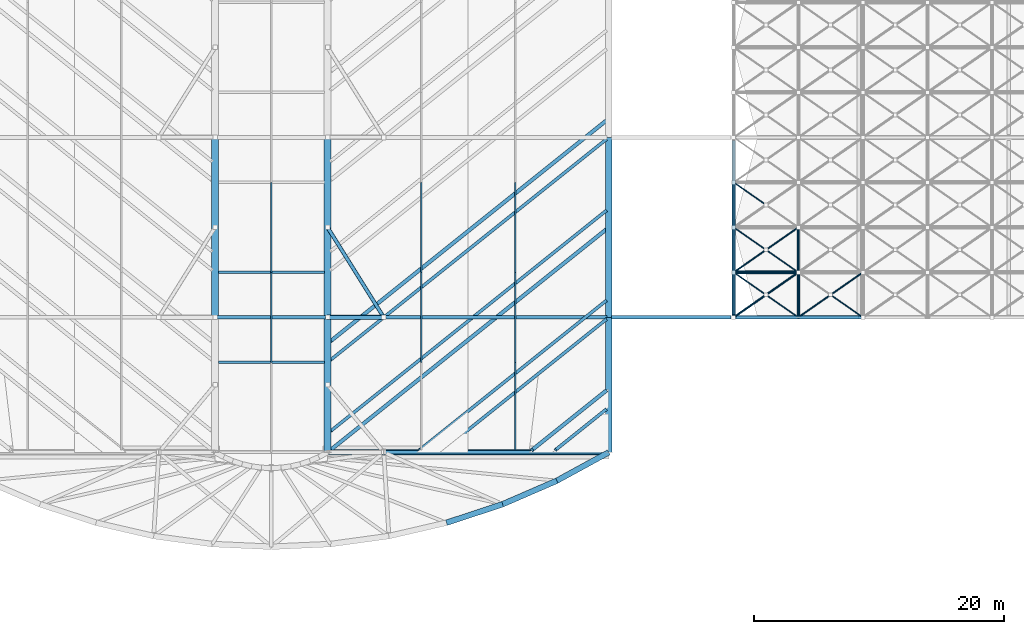
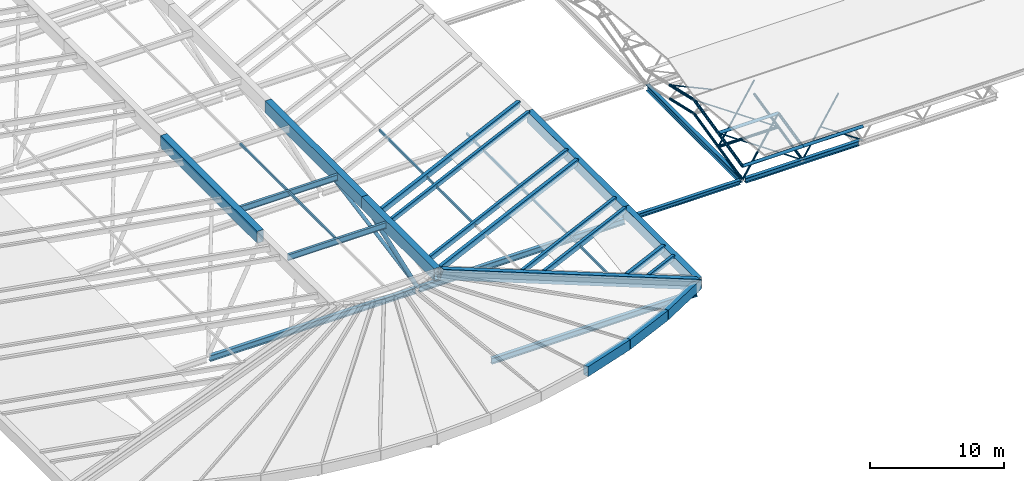
# One storey, part 22 of 110: 31 members, 25 beams.
"""IFC4 building model written with IfcOpenShell, lengths in metres."""

from ifc_helpers import new_model, si_unit, direction, frame, origin, origin_2d, place, context, subcontext, project, spatial, hollow_rectangle, hollow_circle, i_section, extrude, material, material_profile, profile_set, type_object, element, save


model = new_model("IFC4")

# Units and contexts
model_context = context("Model", 3, precision=1e-05, world=origin(), true_north=direction((0.0, 1.0)))
body_context = subcontext(model_context, "Body", "Model", "MODEL_VIEW")
ifc_project = project(units=[si_unit("LENGTHUNIT", "METRE"), si_unit("AREAUNIT", "SQUARE_METRE"), si_unit("VOLUMEUNIT", "CUBIC_METRE"), si_unit("PLANEANGLEUNIT", "RADIAN"), si_unit("MASSUNIT", "GRAM", prefix="KILO")], contexts=[model_context])

# Site, building, storey
site_placement = place(None, origin())
site = spatial("IfcSite", under=ifc_project, at=site_placement, CompositionType="ELEMENT")
building_placement = place(site_placement, origin())
building = spatial("IfcBuilding", under=site, at=building_placement, Name="Tamarisk Ironworks Central Station", CompositionType="ELEMENT")
storey_placement = place(building_placement, frame((0.0, 0.0, 17.39990234375)))
storey = spatial("IfcBuildingStorey", under=building, at=storey_placement, Name="L03", CompositionType="ELEMENT", Elevation=17.39990234375)

# Beams
ifc_material_1 = material(Name="Painted structural steel S355J2", Category="steel")
ifc_material_profile_1 = material_profile(ifc_material_1, hollow_rectangle(XDim=0.5, YDim=1.0, WallThickness=0.02197265625, at=origin_2d()), Name="BOX 500x1000x22")
ifc_profile_set_1 = profile_set([ifc_material_profile_1], Name="Painted structural steel S355J2")
beam_type_1 = type_object("IfcBeamType", Name="BM-EG01", PredefinedType="USERDEFINED", material=ifc_profile_set_1)
beam_1_placement = place(storey_placement, frame((108.0, 10.800048828125, -1.099853515625), z_axis=(0.0, 1.0, 0.0), x_axis=(-1.0, 0.0, 0.0)))
element("IfcBeam", 1, at=beam_1_placement, inside=storey, type_object=beam_type_1, Name="Concourse straight white eave girder E-009", ObjectType="TRANSFER GIRDER", PredefinedType="USERDEFINED", context=body_context, shape_type="SweptSolid", body=[
    extrude(hollow_rectangle(XDim=0.5, YDim=1.0, WallThickness=0.02197265625, at=origin_2d()), origin(), (0.0, 0.0, 1.0), 10.800048828125),
])
beam_2_placement = place(storey_placement, frame((108.0, 21.60009765625, -1.099853515625), z_axis=(0.0, 1.0, 0.0), x_axis=(-1.0, 0.0, 0.0)))
element("IfcBeam", 2, at=beam_2_placement, inside=storey, type_object=beam_type_1, Name="Concourse straight white eave girder E-010", ObjectType="TRANSFER GIRDER", PredefinedType="USERDEFINED", context=body_context, shape_type="SweptSolid", body=[
    extrude(hollow_rectangle(XDim=0.5, YDim=1.0, WallThickness=0.02197265625, at=origin_2d()), origin(), (0.0, 0.0, 1.0), 14.39990234375),
])
ifc_material_profile_2 = material_profile(ifc_material_1, hollow_rectangle(XDim=0.300048828125, YDim=0.5, WallThickness=0.02001953125, at=origin_2d()), Name="RHS 500x300x20")
ifc_profile_set_2 = profile_set([ifc_material_profile_2], Name="Painted structural steel S355J2")
beam_type_2 = type_object("IfcBeamType", Name="BM-FR01", PredefinedType="USERDEFINED", material=ifc_profile_set_2)
beam_3_placement = place(storey_placement, frame((101.875, 11.0, 1.566650390625), z_axis=(0.74681070741, 0.597454746601, -0.292098601607), x_axis=(-0.624698988104, 0.780865656987, 0.0)))
element("IfcBeam", 3, at=beam_3_placement, inside=storey, type_object=beam_type_2, Name="Concourse paired 45-degree white fishbone roof rib 0116", ObjectType="FISHBONE ROOF RIB", PredefinedType="USERDEFINED", context=body_context, shape_type="SweptSolid", body=[
    extrude(hollow_rectangle(XDim=0.300048828125, YDim=0.5, WallThickness=0.02001953125, at=origin_2d()), origin(), (0.0, 0.0, 1.0), 7.900146484375),
])
for number, where, z_axis, x_axis, name in (
    (4, (85.75, 11.0, 7.873291015625), (0.746812720906, 0.597456799313, -0.292089254932), (-0.624699269839, 0.780865431597, 0.0), "Concourse paired 45-degree white fishbone roof rib 0122"),
    (5, (85.75, 19.699951171875, 7.873291015625), (0.746812720906, 0.597456799313, -0.292089254932), (-0.624699269839, 0.780865431597, 0.0), "Concourse paired 45-degree white fishbone roof rib 0128"),
):
    element("IfcBeam", number, at=place(storey_placement, frame(where, z_axis=z_axis, x_axis=x_axis)), inside=storey, type_object=beam_type_2, Name=name, ObjectType="FISHBONE ROOF RIB", PredefinedType="USERDEFINED", context=body_context, shape_type="SweptSolid", body=[
        extrude(hollow_rectangle(XDim=0.300048828125, YDim=0.5, WallThickness=0.02001953125, at=origin_2d()), origin(), (0.0, 0.0, 1.0), 29.491943359375),
    ])
ifc_material_profile_3 = material_profile(ifc_material_1, hollow_rectangle(XDim=0.25, YDim=0.449951171875, WallThickness=0.01611328125, at=origin_2d()), Name="RHS 450x250x16")
ifc_profile_set_3 = profile_set([ifc_material_profile_3], Name="Painted structural steel S355J2")
beam_type_3 = type_object("IfcBeamType", Name="BM-FR02", PredefinedType="USERDEFINED", material=ifc_profile_set_3)
beam_4_placement = place(storey_placement, frame((94.75, 11.0, 4.377197265625), z_axis=(0.746815543009, 0.597452434407, -0.29209096758), x_axis=(-0.624695047554, 0.780868809443, 0.0)))
element("IfcBeam", 6, at=beam_4_placement, inside=storey, type_object=beam_type_3, Name="Concourse paired 45-degree white fishbone roof rib 0118", ObjectType="FISHBONE ROOF RIB", PredefinedType="USERDEFINED", context=body_context, shape_type="SweptSolid", body=[
    extrude(hollow_rectangle(XDim=0.25, YDim=0.449951171875, WallThickness=0.01611328125, at=origin_2d()), origin(), (0.0, 0.0, 1.0), 17.440673828125),
])
beam_5_placement = place(storey_placement, frame((85.75, 12.5, 7.897216796875), z_axis=(0.746812720906, 0.597456799313, -0.292089254932), x_axis=(-0.624699269839, 0.780865431597, 0.0)))
element("IfcBeam", 7, at=beam_5_placement, inside=storey, type_object=beam_type_3, Name="Concourse paired 45-degree white fishbone roof rib 0124", ObjectType="FISHBONE ROOF RIB", PredefinedType="USERDEFINED", context=body_context, shape_type="SweptSolid", body=[
    extrude(hollow_rectangle(XDim=0.25, YDim=0.449951171875, WallThickness=0.01611328125, at=origin_2d()), origin(), (0.0, 0.0, 1.0), 29.491943359375),
])
ifc_material_profile_4 = material_profile(ifc_material_1, hollow_rectangle(XDim=0.25, YDim=0.39990234375, WallThickness=0.01611328125, at=origin_2d()), Name="RHS 400x250x16")
ifc_profile_set_4 = profile_set([ifc_material_profile_4], Name="Painted structural steel S355J2")
beam_type_4 = type_object("IfcBeamType", Name="BM-FR03", PredefinedType="USERDEFINED", material=ifc_profile_set_4)
beam_6_placement = place(storey_placement, frame((103.75, 11.0, 0.881103515625), z_axis=(0.746810773753, 0.597457678942, -0.292092434136), x_axis=(-0.624700823792, 0.780864188418, 0.0)))
element("IfcBeam", 8, at=beam_6_placement, inside=storey, type_object=beam_type_4, Name="Concourse paired 45-degree white fishbone roof rib 0114", ObjectType="FISHBONE ROOF RIB", PredefinedType="USERDEFINED", context=body_context, shape_type="SweptSolid", body=[
    extrude(hollow_rectangle(XDim=0.25, YDim=0.39990234375, WallThickness=0.01611328125, at=origin_2d()), origin(), (0.0, 0.0, 1.0), 5.389404296875),
])
beam_7_placement = place(storey_placement, frame((92.875, 11.0, 5.13427734375), z_axis=(0.746817585881, 0.597454068705, -0.292082401399), x_axis=(-0.624695047554, 0.780868809443, 0.0)))
element("IfcBeam", 9, at=beam_7_placement, inside=storey, type_object=beam_type_4, Name="Concourse paired 45-degree white fishbone roof rib 0120", ObjectType="FISHBONE ROOF RIB", PredefinedType="USERDEFINED", context=body_context, shape_type="SweptSolid", body=[
    extrude(hollow_rectangle(XDim=0.25, YDim=0.39990234375, WallThickness=0.01611328125, at=origin_2d()), origin(), (0.0, 0.0, 1.0), 19.951171875),
])
beam_8_placement = place(storey_placement, frame((85.75, 18.199951171875, 7.9208984375), z_axis=(0.746814526668, 0.597458243939, -0.292081682936), x_axis=(-0.624699269839, 0.780865431597, 0.0)))
element("IfcBeam", 10, at=beam_8_placement, inside=storey, type_object=beam_type_4, Name="Concourse paired 45-degree white fishbone roof rib 0126", ObjectType="FISHBONE ROOF RIB", PredefinedType="USERDEFINED", context=body_context, shape_type="SweptSolid", body=[
    extrude(hollow_rectangle(XDim=0.25, YDim=0.39990234375, WallThickness=0.01611328125, at=origin_2d()), origin(), (0.0, 0.0, 1.0), 29.49169921875),
])
ifc_material_profile_5 = material_profile(ifc_material_1, i_section(OverallWidth=0.2099609375, OverallDepth=0.550048828125, WebThickness=0.010986328125, FlangeThickness=0.01708984375, at=origin_2d()), Name="IPE 550")
ifc_profile_set_5 = profile_set([ifc_material_profile_5], Name="Painted structural steel S355J2")
beam_type_5 = type_object("IfcBeamType", Name="BM-FR04", PredefinedType="USERDEFINED", material=ifc_profile_set_5)
for number, where, z_axis, x_axis, name in (
    (11, (76.7548828125, 18.0, 7.85009765625), (1.0, 0.0, 0.0), (0.0, 1.0, 0.0), "Central glazed spine transverse rib 095"),
    (12, (76.7548828125, 25.199951171875, 7.85009765625), (1.0, 0.0, 0.0), (0.0, 1.0, 0.0), "Central glazed spine transverse rib 096"),
):
    element("IfcBeam", number, at=place(storey_placement, frame(where, z_axis=z_axis, x_axis=x_axis)), inside=storey, type_object=beam_type_5, Name=name, ObjectType="FISHBONE ROOF RIB", PredefinedType="USERDEFINED", context=body_context, shape_type="SweptSolid", body=[
        extrude(i_section(OverallWidth=0.2099609375, OverallDepth=0.550048828125, WebThickness=0.010986328125, FlangeThickness=0.01708984375, at=origin_2d()), origin(), (0.0, 0.0, 1.0), 8.490234375),
    ])
ifc_material_2 = material(Name="Structural steel S355J2", Category="steel")
ifc_material_profile_6 = material_profile(ifc_material_2, i_section(OverallWidth=0.300048828125, OverallDepth=0.5400390625, WebThickness=0.012451171875, FlangeThickness=0.02392578125, at=origin_2d()), Name="HEA 550")
ifc_profile_set_6 = profile_set([ifc_material_profile_6], Name="Structural steel S355J2")
beam_type_6 = type_object("IfcBeamType", Name="BM-G04", PredefinedType="BEAM", material=ifc_profile_set_6)
beam_9_placement = place(storey_placement, frame((118.0, 21.837890625, -1.869873046875), z_axis=(0.0, 1.0, 0.0), x_axis=(-1.0, 0.0, 0.0)))
element("IfcBeam", 13, at=beam_9_placement, inside=storey, type_object=beam_type_6, Name="L03 primary girder Y-0606", PredefinedType="BEAM", context=body_context, shape_type="SweptSolid", body=[
    extrude(i_section(OverallWidth=0.300048828125, OverallDepth=0.5400390625, WebThickness=0.012451171875, FlangeThickness=0.02392578125, at=origin_2d()), origin(), (0.0, 0.0, 1.0), 13.924072265625),
])
for number, where, z_axis, x_axis, name in (
    (14, (90.139892578125, 10.800048828125, -1.869873046875), (1.0, 0.0, 0.0), (0.0, 1.0, 0.0), "Concourse roof portal tie girder 019"),
    (15, (72.139892578125, 21.60009765625, -1.869873046875), (1.0, 0.0, 0.0), (0.0, 1.0, 0.0), "Concourse roof portal tie girder 021"),
    (16, (90.139892578125, 21.60009765625, -1.869873046875), (1.0, 0.0, 0.0), (0.0, 1.0, 0.0), "Concourse roof portal tie girder 022"),
):
    element("IfcBeam", number, at=place(storey_placement, frame(where, z_axis=z_axis, x_axis=x_axis)), inside=storey, type_object=beam_type_6, Name=name, PredefinedType="BEAM", context=body_context, shape_type="SweptSolid", body=[
        extrude(i_section(OverallWidth=0.300048828125, OverallDepth=0.5400390625, WebThickness=0.012451171875, FlangeThickness=0.02392578125, at=origin_2d()), origin(), (0.0, 0.0, 1.0), 17.72021484375),
    ])
ifc_material_profile_7 = material_profile(ifc_material_2, i_section(OverallWidth=0.300048828125, OverallDepth=0.43994140625, WebThickness=0.011474609375, FlangeThickness=0.02099609375, at=origin_2d()), Name="HEA 450")
ifc_profile_set_7 = profile_set([ifc_material_profile_7], Name="Structural steel S355J2")
beam_type_7 = type_object("IfcBeamType", Name="BM-G06", PredefinedType="BEAM", material=ifc_profile_set_7)
beam_10_placement = place(storey_placement, frame((118.238037109375, 21.60009765625, -1.81982421875), z_axis=(1.0, 0.0, 0.0), x_axis=(0.0, 1.0, 0.0)))
element("IfcBeam", 17, at=beam_10_placement, inside=storey, type_object=beam_type_7, Name="L03 primary girder X-0545", PredefinedType="BEAM", context=body_context, shape_type="SweptSolid", body=[
    extrude(i_section(OverallWidth=0.300048828125, OverallDepth=0.43994140625, WebThickness=0.011474609375, FlangeThickness=0.02099609375, at=origin_2d()), origin(), (0.0, 0.0, 1.0), 9.758056640625),
])
ifc_material_profile_8 = material_profile(ifc_material_2, i_section(OverallWidth=0.300048828125, OverallDepth=0.389892578125, WebThickness=0.010986328125, FlangeThickness=0.01904296875, at=origin_2d()), Name="HEA 400")
ifc_profile_set_8 = profile_set([ifc_material_profile_8], Name="Structural steel S355J2")
beam_type_8 = type_object("IfcBeamType", Name="BM-G07", PredefinedType="BEAM", material=ifc_profile_set_8)
beam_11_placement = place(storey_placement, frame((108.22998046875, 21.60009765625, -1.7998046875), z_axis=(1.0, 0.0, 0.0), x_axis=(0.0, 1.0, 0.0)))
element("IfcBeam", 18, at=beam_11_placement, inside=storey, type_object=beam_type_8, Name="Train shed to concourse eave tie girder 06", PredefinedType="BEAM", context=body_context, shape_type="SweptSolid", body=[
    extrude(i_section(OverallWidth=0.300048828125, OverallDepth=0.389892578125, WebThickness=0.010986328125, FlangeThickness=0.01904296875, at=origin_2d()), origin(), (0.0, 0.0, 1.0), 9.5400390625),
])
ifc_material_profile_9 = material_profile(ifc_material_1, hollow_rectangle(XDim=0.449951171875, YDim=0.89990234375, WallThickness=0.02001953125, at=origin_2d()), Name="BOX 450x900x20")
ifc_profile_set_9 = profile_set([ifc_material_profile_9], Name="Painted structural steel S355J2")
beam_type_9 = type_object("IfcBeamType", Name="BM-RG01", PredefinedType="USERDEFINED", material=ifc_profile_set_9)
beam_12_placement = place(storey_placement, frame((85.75, 10.800048828125, 7.622314453125), z_axis=(0.931302777386, 0.0, -0.364245983963), x_axis=(0.0, 1.0, 0.0)))
element("IfcBeam", 19, at=beam_12_placement, inside=storey, type_object=beam_type_9, Name="Concourse trunk portal raking girder 110", ObjectType="TRANSFER GIRDER", PredefinedType="USERDEFINED", context=body_context, shape_type="SweptSolid", body=[
    extrude(hollow_rectangle(XDim=0.449951171875, YDim=0.89990234375, WallThickness=0.02001953125, at=origin_2d()), origin(), (0.0, 0.0, 1.0), 23.649658203125),
])
for number, where, z_axis, x_axis, name in (
    (20, (95.01904296875, 5.166259765625, -1.079833984375), (0.949705420839, 0.313144716752, 0.0), (-0.313144716752, 0.949705420839, 0.0), "SOUTH rounded nose outer ring beam 10"),
    (21, (99.51123046875, 6.6474609375, -1.079833984375), (0.91733327399, 0.398120163307, 0.0), (-0.398120163307, 0.91733327399, 0.0), "SOUTH rounded nose outer ring beam 11"),
    (22, (103.85009765625, 8.530517578125, -1.079833984375), (0.87736638631, 0.479821033483, 0.0), (-0.479821033483, 0.87736638631, 0.0), "SOUTH rounded nose outer ring beam 12"),
):
    element("IfcBeam", number, at=place(storey_placement, frame(where, z_axis=z_axis, x_axis=x_axis)), inside=storey, type_object=beam_type_9, Name=name, ObjectType="TRANSFER GIRDER", PredefinedType="USERDEFINED", context=body_context, shape_type="SweptSolid", body=[
        extrude(hollow_rectangle(XDim=0.449951171875, YDim=0.89990234375, WallThickness=0.02001953125, at=origin_2d()), origin(), (0.0, 0.0, 1.0), 4.72998046875),
    ])
ifc_material_profile_10 = material_profile(ifc_material_1, hollow_rectangle(XDim=0.550048828125, YDim=1.10009765625, WallThickness=0.02392578125, at=origin_2d()), Name="BOX 550x1100x24")
ifc_profile_set_10 = profile_set([ifc_material_profile_10], Name="Painted structural steel S355J2")
beam_type_10 = type_object("IfcBeamType", Name="BM-SG01", PredefinedType="USERDEFINED", material=ifc_profile_set_10)
beam_13_placement = place(storey_placement, frame((76.5, 21.60009765625, 7.650146484375), z_axis=(0.0, 1.0, 0.0), x_axis=(-1.0, 0.0, 0.0)))
element("IfcBeam", 23, at=beam_13_placement, inside=storey, type_object=beam_type_10, Name="Concourse central glazed spine girder W-045", ObjectType="TRANSFER GIRDER", PredefinedType="USERDEFINED", context=body_context, shape_type="SweptSolid", body=[
    extrude(hollow_rectangle(XDim=0.550048828125, YDim=1.10009765625, WallThickness=0.02392578125, at=origin_2d()), origin(), (0.0, 0.0, 1.0), 14.39990234375),
])
beam_14_placement = place(storey_placement, frame((85.5, 10.800048828125, 7.650146484375), z_axis=(0.0, 1.0, 0.0), x_axis=(-1.0, 0.0, 0.0)))
element("IfcBeam", 24, at=beam_14_placement, inside=storey, type_object=beam_type_10, Name="Concourse central glazed spine girder E-052", ObjectType="TRANSFER GIRDER", PredefinedType="USERDEFINED", context=body_context, shape_type="SweptSolid", body=[
    extrude(hollow_rectangle(XDim=0.550048828125, YDim=1.10009765625, WallThickness=0.02392578125, at=origin_2d()), origin(), (0.0, 0.0, 1.0), 10.800048828125),
])
beam_15_placement = place(storey_placement, frame((85.5, 21.60009765625, 7.650146484375), z_axis=(0.0, 1.0, 0.0), x_axis=(-1.0, 0.0, 0.0)))
element("IfcBeam", 25, at=beam_15_placement, inside=storey, type_object=beam_type_10, Name="Concourse central glazed spine girder E-053", ObjectType="TRANSFER GIRDER", PredefinedType="USERDEFINED", context=body_context, shape_type="SweptSolid", body=[
    extrude(hollow_rectangle(XDim=0.550048828125, YDim=1.10009765625, WallThickness=0.02392578125, at=origin_2d()), origin(), (0.0, 0.0, 1.0), 14.39990234375),
])

# Members
ifc_material_profile_11 = material_profile(ifc_material_1, hollow_rectangle(XDim=0.1201171875, YDim=0.219970703125, WallThickness=0.008056640625, at=origin_2d()), Name="RHS 220x120x8")
ifc_profile_set_11 = profile_set([ifc_material_profile_11], Name="Painted structural steel S355J2")
member_type_1 = type_object("IfcMemberType", Name="MB-PR01", PredefinedType="PURLIN", material=ifc_profile_set_11)
member_1_placement = place(storey_placement, frame((81.0, 18.00390625, 7.97998046875), z_axis=(0.0, 1.0, 0.0), x_axis=(-1.0, 0.0, 0.0)))
element("IfcMember", 26, at=member_1_placement, inside=storey, type_object=member_type_1, Name="Spine skylight purlin 002", PredefinedType="PURLIN", context=body_context, shape_type="SweptSolid", body=[
    extrude(hollow_rectangle(XDim=0.1201171875, YDim=0.219970703125, WallThickness=0.008056640625, at=origin_2d()), origin(), (0.0, 0.0, 1.0), 7.192138671875),
])
member_2_placement = place(storey_placement, frame((81.0, 25.2041015625, 7.97998046875), z_axis=(0.0, 1.0, 0.0), x_axis=(-1.0, 0.0, 0.0)))
element("IfcMember", 27, at=member_2_placement, inside=storey, type_object=member_type_1, Name="Spine skylight purlin 003", PredefinedType="PURLIN", context=body_context, shape_type="SweptSolid", body=[
    extrude(hollow_rectangle(XDim=0.1201171875, YDim=0.219970703125, WallThickness=0.008056640625, at=origin_2d()), origin(), (0.0, 0.0, 1.0), 7.19189453125),
])
for number, where, z_axis, x_axis, name in (
    (28, (93.0, 18.0, 5.002685546875), (0.0, 1.0, 0.0), (-1.0, 0.0, 0.0), "Concourse roof glazing purlin 0044"),
    (29, (93.0, 25.199951171875, 5.002685546875), (0.0, 1.0, 0.0), (-1.0, 0.0, 0.0), "Concourse roof glazing purlin 0045"),
):
    element("IfcMember", number, at=place(storey_placement, frame(where, z_axis=z_axis, x_axis=x_axis)), inside=storey, type_object=member_type_1, Name=name, PredefinedType="PURLIN", context=body_context, shape_type="SweptSolid", body=[
        extrude(hollow_rectangle(XDim=0.1201171875, YDim=0.219970703125, WallThickness=0.008056640625, at=origin_2d()), origin(), (0.0, 0.0, 1.0), 7.199951171875),
    ])
member_3_placement = place(storey_placement, frame((100.5, 11.0, 2.0693359375), z_axis=(0.0, 1.0, 0.0), x_axis=(-1.0, 0.0, 0.0)))
element("IfcMember", 30, at=member_3_placement, inside=storey, type_object=member_type_1, Name="Concourse roof glazing purlin 0057", PredefinedType="PURLIN", context=body_context, shape_type="SweptSolid", body=[
    extrude(hollow_rectangle(XDim=0.1201171875, YDim=0.219970703125, WallThickness=0.008056640625, at=origin_2d()), origin(), (0.0, 0.0, 1.0), 7.0),
])
for number, where, z_axis, x_axis, name in (
    (31, (100.5, 18.0, 2.0693359375), (0.0, 1.0, 0.0), (-1.0, 0.0, 0.0), "Concourse roof glazing purlin 0058"),
    (32, (100.5, 25.199951171875, 2.0693359375), (0.0, 1.0, 0.0), (-1.0, 0.0, 0.0), "Concourse roof glazing purlin 0059"),
):
    element("IfcMember", number, at=place(storey_placement, frame(where, z_axis=z_axis, x_axis=x_axis)), inside=storey, type_object=member_type_1, Name=name, PredefinedType="PURLIN", context=body_context, shape_type="SweptSolid", body=[
        extrude(hollow_rectangle(XDim=0.1201171875, YDim=0.219970703125, WallThickness=0.008056640625, at=origin_2d()), origin(), (0.0, 0.0, 1.0), 7.199951171875),
    ])
ifc_material_3 = material(Name="Structural steel S355J2H", Category="steel")
ifc_material_profile_12 = material_profile(ifc_material_3, hollow_circle(Radius=0.136474609375, WallThickness=0.012451171875, at=origin_2d()), Name="CHS 273x12.5")
ifc_profile_set_12 = profile_set([ifc_material_profile_12], Name="Structural steel S355J2H")
member_type_2 = type_object("IfcMemberType", Name="MB-SFC01", PredefinedType="CHORD", material=ifc_profile_set_12)
member_4_placement = place(storey_placement, frame((118.0, 21.60009765625, -0.469970703125), z_axis=(1.0, 0.0, 0.0), x_axis=(0.0, 1.0, 0.0)))
element("IfcMember", 33, at=member_4_placement, inside=storey, type_object=member_type_2, Name="Train shed space-frame top chord 1051", PredefinedType="CHORD", context=body_context, shape_type="SweptSolid", body=[
    extrude(hollow_circle(Radius=0.136474609375, WallThickness=0.012451171875, at=origin_2d()), origin(), (0.0, 0.0, 1.0), 5.166748046875),
])
member_5_placement = place(storey_placement, frame((123.166748046875, 21.60009765625, -0.469970703125), z_axis=(1.0, 0.0, 0.0), x_axis=(0.0, 1.0, 0.0)))
element("IfcMember", 34, at=member_5_placement, inside=storey, type_object=member_type_2, Name="Train shed space-frame top chord 1052", PredefinedType="CHORD", context=body_context, shape_type="SweptSolid", body=[
    extrude(hollow_circle(Radius=0.136474609375, WallThickness=0.012451171875, at=origin_2d()), origin(), (0.0, 0.0, 1.0), 5.16650390625),
])
member_6_placement = place(storey_placement, frame((118.0, 25.199951171875, 0.35498046875), z_axis=(1.0, 0.0, 0.0), x_axis=(0.0, 1.0, 0.0)))
element("IfcMember", 35, at=member_6_placement, inside=storey, type_object=member_type_2, Name="Train shed space-frame top chord 1063", PredefinedType="CHORD", context=body_context, shape_type="SweptSolid", body=[
    extrude(hollow_circle(Radius=0.136474609375, WallThickness=0.012451171875, at=origin_2d()), origin(), (0.0, 0.0, 1.0), 5.166748046875),
])
ifc_material_profile_13 = material_profile(ifc_material_3, hollow_circle(Radius=0.122314453125, WallThickness=0.012451171875, at=origin_2d()), Name="CHS 244.5x12.5")
ifc_profile_set_13 = profile_set([ifc_material_profile_13], Name="Structural steel S355J2H")
member_type_3 = type_object("IfcMemberType", Name="MB-SFC02", PredefinedType="CHORD", material=ifc_profile_set_13)
member_7_placement = place(storey_placement, frame((118.0, 25.199951171875, -0.89501953125), z_axis=(1.0, 0.0, 0.0), x_axis=(0.0, 1.0, 0.0)))
element("IfcMember", 36, at=member_7_placement, inside=storey, type_object=member_type_3, Name="Train shed space-frame bottom chord 0963", PredefinedType="CHORD", context=body_context, shape_type="SweptSolid", body=[
    extrude(hollow_circle(Radius=0.122314453125, WallThickness=0.012451171875, at=origin_2d()), origin(), (0.0, 0.0, 1.0), 5.166748046875),
])
member_8_placement = place(storey_placement, frame((118.0, 21.60009765625, -0.469970703125), z_axis=(0.0, 0.974733218107, 0.223372230857), x_axis=(-1.0, 0.0, 0.0)))
element("IfcMember", 37, at=member_8_placement, inside=storey, type_object=member_type_3, Name="Train shed space-frame top transverse chord 1111", PredefinedType="CHORD", context=body_context, shape_type="SweptSolid", body=[
    extrude(hollow_circle(Radius=0.122314453125, WallThickness=0.012451171875, at=origin_2d()), origin(), (0.0, 0.0, 1.0), 3.693115234375),
])
member_9_placement = place(storey_placement, frame((118.0, 25.199951171875, 0.35498046875), z_axis=(0.0, 0.974722123001, 0.223420641241), x_axis=(-1.0, 0.0, 0.0)))
element("IfcMember", 38, at=member_9_placement, inside=storey, type_object=member_type_3, Name="Train shed space-frame top transverse chord 1112", PredefinedType="CHORD", context=body_context, shape_type="SweptSolid", body=[
    extrude(hollow_circle(Radius=0.122314453125, WallThickness=0.012451171875, at=origin_2d()), origin(), (0.0, 0.0, 1.0), 3.693359375),
])
for number, where, z_axis, x_axis, name in (
    (39, (118.0, 28.800048828125, 1.18017578125), (0.0, 0.974718823144, -0.223435037113), (-1.0, 0.0, 0.0), "Train shed space-frame top transverse chord 1113"),
    (40, (123.166748046875, 21.60009765625, -0.469970703125), (0.0, 0.974733218107, 0.223372230857), (-1.0, 0.0, 0.0), "Train shed space-frame top transverse chord 1115"),
):
    element("IfcMember", number, at=place(storey_placement, frame(where, z_axis=z_axis, x_axis=x_axis)), inside=storey, type_object=member_type_3, Name=name, PredefinedType="CHORD", context=body_context, shape_type="SweptSolid", body=[
        extrude(hollow_circle(Radius=0.122314453125, WallThickness=0.012451171875, at=origin_2d()), origin(), (0.0, 0.0, 1.0), 3.693115234375),
    ])
ifc_material_profile_14 = material_profile(ifc_material_3, hollow_circle(Radius=0.109619140625, WallThickness=0.010009765625, at=origin_2d()), Name="CHS 219.1x10")
ifc_profile_set_14 = profile_set([ifc_material_profile_14], Name="Structural steel S355J2H")
member_type_4 = type_object("IfcMemberType", Name="MB-SFC03", PredefinedType="CHORD", material=ifc_profile_set_14)
member_10_placement = place(storey_placement, frame((118.0, 21.60009765625, -1.719970703125), z_axis=(0.0, 0.974733218107, 0.223372230857), x_axis=(-1.0, 0.0, 0.0)))
element("IfcMember", 41, at=member_10_placement, inside=storey, type_object=member_type_4, Name="Train shed space-frame transverse chord 0999", PredefinedType="CHORD", context=body_context, shape_type="SweptSolid", body=[
    extrude(hollow_circle(Radius=0.109619140625, WallThickness=0.010009765625, at=origin_2d()), origin(), (0.0, 0.0, 1.0), 3.693115234375),
])
member_11_placement = place(storey_placement, frame((118.0, 25.199951171875, -0.89501953125), z_axis=(0.0, 0.974722123001, 0.223420641241), x_axis=(-1.0, 0.0, 0.0)))
element("IfcMember", 42, at=member_11_placement, inside=storey, type_object=member_type_4, Name="Train shed space-frame transverse chord 1000", PredefinedType="CHORD", context=body_context, shape_type="SweptSolid", body=[
    extrude(hollow_circle(Radius=0.109619140625, WallThickness=0.010009765625, at=origin_2d()), origin(), (0.0, 0.0, 1.0), 3.693359375),
])
for number, where, z_axis, x_axis, name in (
    (43, (118.0, 28.800048828125, -0.06982421875), (0.0, 0.974718823144, -0.223435037113), (-1.0, 0.0, 0.0), "Train shed space-frame transverse chord 1001"),
    (44, (123.166748046875, 21.60009765625, -1.719970703125), (0.0, 0.974733218107, 0.223372230857), (-1.0, 0.0, 0.0), "Train shed space-frame transverse chord 1003"),
):
    element("IfcMember", number, at=place(storey_placement, frame(where, z_axis=z_axis, x_axis=x_axis)), inside=storey, type_object=member_type_4, Name=name, PredefinedType="CHORD", context=body_context, shape_type="SweptSolid", body=[
        extrude(hollow_circle(Radius=0.109619140625, WallThickness=0.010009765625, at=origin_2d()), origin(), (0.0, 0.0, 1.0), 3.693115234375),
    ])
member_12_placement = place(storey_placement, frame((123.166748046875, 25.199951171875, -0.89501953125), z_axis=(0.0, 0.974722123001, 0.223420641241), x_axis=(-1.0, 0.0, 0.0)))
element("IfcMember", 45, at=member_12_placement, inside=storey, type_object=member_type_4, Name="Train shed space-frame transverse chord 1004", PredefinedType="CHORD", context=body_context, shape_type="SweptSolid", body=[
    extrude(hollow_circle(Radius=0.109619140625, WallThickness=0.010009765625, at=origin_2d()), origin(), (0.0, 0.0, 1.0), 3.693359375),
])
ifc_material_profile_15 = material_profile(ifc_material_3, hollow_circle(Radius=0.084228515625, WallThickness=0.010009765625, at=origin_2d()), Name="CHS 168.3x10")
ifc_profile_set_15 = profile_set([ifc_material_profile_15], Name="Structural steel S355J2H")
member_type_5 = type_object("IfcMemberType", Name="MB-SFD01", PredefinedType="BRACE", material=ifc_profile_set_15)
member_13_placement = place(storey_placement, frame((118.0, 21.60009765625, -1.719970703125), z_axis=(0.779273944842, 0.542947328672, 0.312954177442), x_axis=(-0.57166297408, 0.820488539875, 0.0)))
element("IfcMember", 46, at=member_13_placement, inside=storey, type_object=member_type_5, Name="Train shed space-frame diagonal 1163", PredefinedType="BRACE", context=body_context, shape_type="SweptSolid", body=[
    extrude(hollow_circle(Radius=0.084228515625, WallThickness=0.010009765625, at=origin_2d()), origin(), (0.0, 0.0, 1.0), 6.630126953125),
])
ifc_material_profile_16 = material_profile(ifc_material_3, hollow_circle(Radius=0.06982421875, WallThickness=0.008056640625, at=origin_2d()), Name="CHS 139.7x8")
ifc_profile_set_16 = profile_set([ifc_material_profile_16], Name="Structural steel S355J2H")
member_type_6 = type_object("IfcMemberType", Name="MB-SFD02", PredefinedType="BRACE", material=ifc_profile_set_16)
member_14_placement = place(storey_placement, frame((118.0, 25.199951171875, -0.89501953125), z_axis=(0.779249385031, 0.542967038306, 0.312981135603), x_axis=(-0.571689073201, 0.82047035509, 0.0)))
element("IfcMember", 47, at=member_14_placement, inside=storey, type_object=member_type_6, Name="Train shed space-frame diagonal 1165", PredefinedType="BRACE", context=body_context, shape_type="SweptSolid", body=[
    extrude(hollow_circle(Radius=0.06982421875, WallThickness=0.008056640625, at=origin_2d()), origin(), (0.0, 0.0, 1.0), 6.63037109375),
])
member_15_placement = place(storey_placement, frame((123.166748046875, 21.60009765625, -1.719970703125), z_axis=(0.779259482852, 0.542962908735, 0.312963157772), x_axis=(-0.571681159291, 0.820475869305, 0.0)))
element("IfcMember", 48, at=member_15_placement, inside=storey, type_object=member_type_6, Name="Train shed space-frame diagonal 1171", PredefinedType="BRACE", context=body_context, shape_type="SweptSolid", body=[
    extrude(hollow_circle(Radius=0.06982421875, WallThickness=0.008056640625, at=origin_2d()), origin(), (0.0, 0.0, 1.0), 6.630126953125),
])
ifc_material_profile_17 = material_profile(ifc_material_3, hollow_circle(Radius=0.05712890625, WallThickness=0.00634765625, at=origin_2d()), Name="CHS 114.3x6.3")
ifc_profile_set_17 = profile_set([ifc_material_profile_17], Name="Structural steel S355J2H")
member_type_7 = type_object("IfcMemberType", Name="MB-SFD03", PredefinedType="BRACE", material=ifc_profile_set_17)
for number, where, z_axis, x_axis, name in (
    (49, (123.166748046875, 21.60009765625, -1.719970703125), (-0.779281371438, 0.542935800781, 0.31295568434), (-0.571651135352, -0.820496788203, 0.0), "Train shed space-frame split counter-diagonal lower 1164"),
    (50, (120.540283203125, 23.429931640625, -0.665283203125), (-0.779251958926, 0.542967486998, 0.312973948712), (-0.571688120068, -0.820471019216, 0.0), "Train shed space-frame split counter-diagonal upper 1164"),
):
    element("IfcMember", number, at=place(storey_placement, frame(where, z_axis=z_axis, x_axis=x_axis)), inside=storey, type_object=member_type_7, Name=name, PredefinedType="BRACE", context=body_context, shape_type="SweptSolid", body=[
        extrude(hollow_circle(Radius=0.05712890625, WallThickness=0.00634765625, at=origin_2d()), origin(), (0.0, 0.0, 1.0), 3.260009765625),
    ])
member_16_placement = place(storey_placement, frame((123.166748046875, 25.199951171875, -0.89501953125), z_axis=(-0.779231423252, 0.542975884106, 0.313010508283), x_axis=(-0.571704213709, -0.820459805248, 0.0)))
element("IfcMember", 51, at=member_16_placement, inside=storey, type_object=member_type_7, Name="Train shed space-frame split counter-diagonal lower 1166", PredefinedType="BRACE", context=body_context, shape_type="SweptSolid", body=[
    extrude(hollow_circle(Radius=0.05712890625, WallThickness=0.00634765625, at=origin_2d()), origin(), (0.0, 0.0, 1.0), 3.26025390625),
])
member_17_placement = place(storey_placement, frame((120.540283203125, 27.02978515625, 0.159912109375), z_axis=(-0.779220271205, 0.543020296637, 0.312961221852), x_axis=(-0.571741198525, -0.820434032637, 0.0)))
element("IfcMember", 52, at=member_17_placement, inside=storey, type_object=member_type_7, Name="Train shed space-frame split counter-diagonal upper 1166", PredefinedType="BRACE", context=body_context, shape_type="SweptSolid", body=[
    extrude(hollow_circle(Radius=0.05712890625, WallThickness=0.00634765625, at=origin_2d()), origin(), (0.0, 0.0, 1.0), 3.260009765625),
])
member_18_placement = place(storey_placement, frame((120.538330078125, 30.63134765625, 0.146240234375), z_axis=(-0.81862545828, 0.570368646704, 0.067319877544), x_axis=(-0.571665501983, -0.820486778591, 0.0)))
element("IfcMember", 53, at=member_18_placement, inside=storey, type_object=member_type_7, Name="Train shed space-frame split counter-diagonal upper 1168", PredefinedType="BRACE", context=body_context, shape_type="SweptSolid", body=[
    extrude(hollow_circle(Radius=0.05712890625, WallThickness=0.00634765625, at=origin_2d()), origin(), (0.0, 0.0, 1.0), 3.100830078125),
])
member_19_placement = place(storey_placement, frame((128.333251953125, 21.60009765625, -1.719970703125), z_axis=(-0.779251958926, 0.542967486998, 0.312973948712), x_axis=(-0.571688120068, -0.820471019216, 0.0)))
element("IfcMember", 54, at=member_19_placement, inside=storey, type_object=member_type_7, Name="Train shed space-frame split counter-diagonal lower 1172", PredefinedType="BRACE", context=body_context, shape_type="SweptSolid", body=[
    extrude(hollow_circle(Radius=0.05712890625, WallThickness=0.00634765625, at=origin_2d()), origin(), (0.0, 0.0, 1.0), 3.260009765625),
])
ifc_material_profile_18 = material_profile(ifc_material_1, hollow_circle(Radius=0.177734375, WallThickness=0.01611328125, at=origin_2d()), Name="CHS 355.6x16")
ifc_profile_set_18 = profile_set([ifc_material_profile_18], Name="Painted structural steel S355J2")
member_type_8 = type_object("IfcMemberType", Name="MB-VS01", PredefinedType="STRUT", material=ifc_profile_set_18)
member_20_placement = place(storey_placement, frame((90.0, 21.60009765625, -1.639892578125), z_axis=(-0.443657342756, 0.0, 0.896196497549), x_axis=(0.0, -1.0, 0.0)))
element("IfcMember", 55, at=member_20_placement, inside=storey, type_object=member_type_8, Name="Concourse spine V-strut 066", PredefinedType="STRUT", context=body_context, shape_type="SweptSolid", body=[
    extrude(hollow_circle(Radius=0.177734375, WallThickness=0.01611328125, at=origin_2d()), origin(), (0.0, 0.0, 1.0), 10.14306640625),
])
ifc_material_profile_19 = material_profile(ifc_material_1, hollow_circle(Radius=0.149169921875, WallThickness=0.01416015625, at=origin_2d()), Name="CHS 298.5x14.2")
ifc_profile_set_19 = profile_set([ifc_material_profile_19], Name="Painted structural steel S355J2")
member_type_9 = type_object("IfcMemberType", Name="MB-VS02", PredefinedType="STRUT", material=ifc_profile_set_19)
member_21_placement = place(storey_placement, frame((90.0, 21.60009765625, -1.639892578125), z_axis=(-0.361776786068, 0.578838932179, 0.73079617381), x_axis=(-0.847996688584, -0.530001524668, 0.0)))
element("IfcMember", 56, at=member_21_placement, inside=storey, type_object=member_type_9, Name="Concourse spine diagonal V-strut 067", PredefinedType="STRUT", context=body_context, shape_type="SweptSolid", body=[
    extrude(hollow_circle(Radius=0.149169921875, WallThickness=0.01416015625, at=origin_2d()), origin(), (0.0, 0.0, 1.0), 12.438720703125),
])

save(model, "model.ifc")
